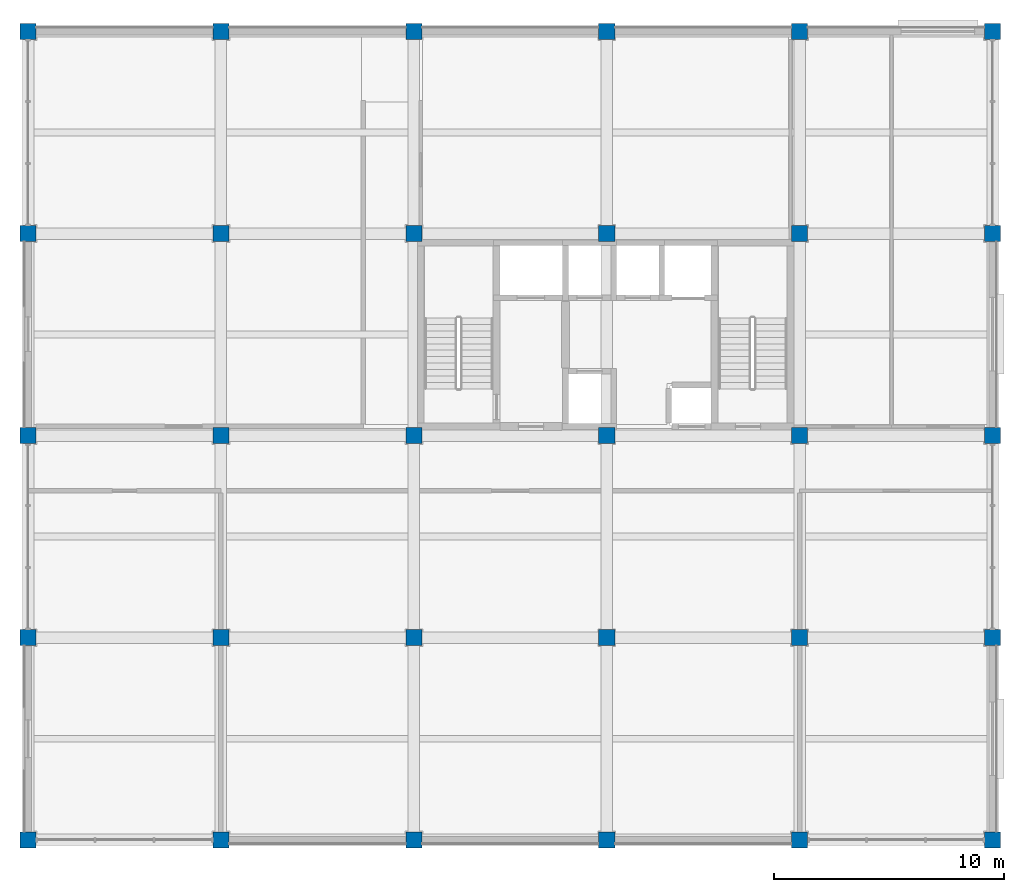
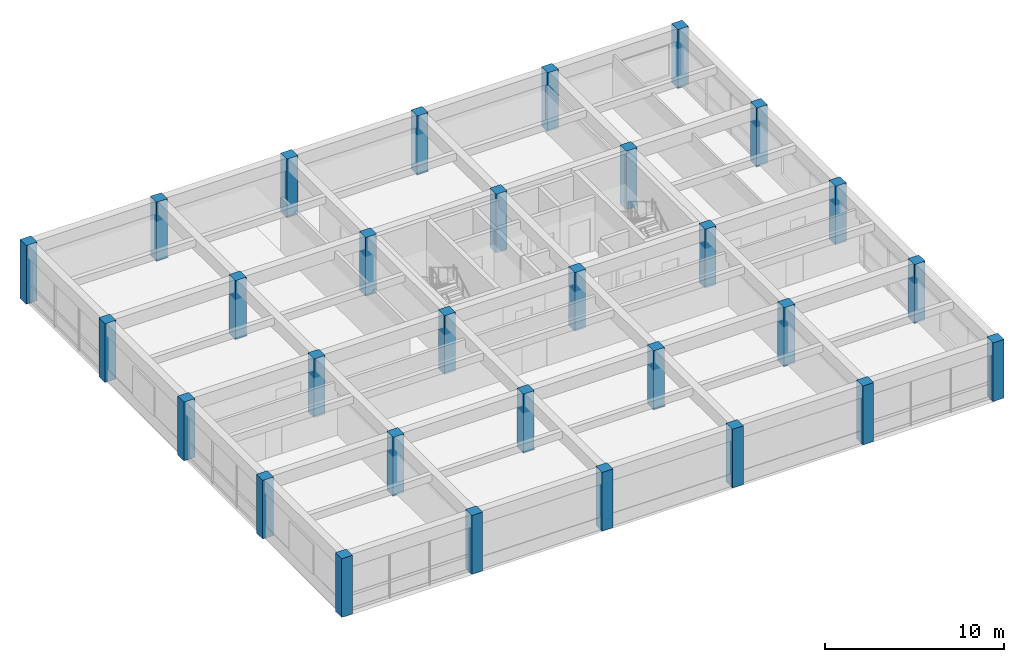
# One storey, part 1 of 14: 30 columns.
"""IFC4 building model written with IfcOpenShell, lengths in metres."""

from ifc_helpers import new_model, si_unit, direction, frame, origin, origin_2d, place, context, subcontext, project, spatial, rectangle, extrude, material, material_profile, profile_set, type_object, element, save


model = new_model("IFC4")

# Units and contexts
model_context = context("Model", 3, precision=1e-05, world=origin(), true_north=direction((0.0, 1.0)))
body_context = subcontext(model_context, "Body", "Model", "MODEL_VIEW")
ifc_project = project(units=[si_unit("LENGTHUNIT", "METRE"), si_unit("AREAUNIT", "SQUARE_METRE"), si_unit("VOLUMEUNIT", "CUBIC_METRE"), si_unit("PLANEANGLEUNIT", "RADIAN"), si_unit("MASSUNIT", "GRAM", prefix="KILO")], contexts=[model_context])

# Site, building, storey
site_placement = place(None, origin())
site = spatial("IfcSite", under=ifc_project, at=site_placement, CompositionType="ELEMENT")
building_placement = place(site_placement, origin())
building = spatial("IfcBuilding", under=site, at=building_placement, Name="Kemercrest Conservatory and Botanical Centre", CompositionType="ELEMENT")
storey_placement = place(building_placement, frame((0.0, 0.0, 28.800048828125)))
storey = spatial("IfcBuildingStorey", under=building, at=storey_placement, Name="L07", CompositionType="ELEMENT", Elevation=28.800048828125)

# Columns
ifc_material = material(Name="Concrete C50/60", Category="concrete")
ifc_material_profile = material_profile(ifc_material, rectangle(XDim=0.699951171875, YDim=0.699951171875, at=origin_2d()), Name="RC 700x700")
ifc_profile_set = profile_set([ifc_material_profile], Name="Concrete C50/60")
column_type = type_object("IfcColumnType", Name="C-RC70", PredefinedType="COLUMN", material=ifc_profile_set)
for number, where, z_axis, x_axis, name in (
    (1, (134.0, 87.199951171875, 0.0), (0.0, 0.0, 1.0), (1.0, 0.0, 0.0), "Tower column C-RC70 16/K"),
    (2, (134.0, 96.0, 0.0), (0.0, 0.0, 1.0), (1.0, 0.0, 0.0), "Tower column C-RC70 16/L"),
    (3, (134.0, 104.800048828125, 0.0), (0.0, 0.0, 1.0), (1.0, 0.0, 0.0), "Tower column C-RC70 16/M"),
    (4, (134.0, 113.60009765625, 0.0), (0.0, 0.0, 1.0), (1.0, 0.0, 0.0), "Tower column C-RC70 16/N"),
    (5, (134.0, 122.39990234375, 0.0), (0.0, 0.0, 1.0), (1.0, 0.0, 0.0), "Tower column C-RC70 16/P"),
    (6, (142.39990234375, 87.199951171875, 0.0), (0.0, 0.0, 1.0), (1.0, 0.0, 0.0), "Tower column C-RC70 17/K"),
    (7, (142.39990234375, 96.0, 0.0), (0.0, 0.0, 1.0), (1.0, 0.0, 0.0), "Tower column C-RC70 17/L"),
    (8, (142.39990234375, 104.800048828125, 0.0), (0.0, 0.0, 1.0), (1.0, 0.0, 0.0), "Tower column C-RC70 17/M"),
    (9, (142.39990234375, 113.60009765625, 0.0), (0.0, 0.0, 1.0), (1.0, 0.0, 0.0), "Tower column C-RC70 17/N"),
    (10, (142.39990234375, 122.39990234375, 0.0), (0.0, 0.0, 1.0), (1.0, 0.0, 0.0), "Tower column C-RC70 17/P"),
    (11, (150.800048828125, 87.199951171875, 0.0), (0.0, 0.0, 1.0), (1.0, 0.0, 0.0), "Tower column C-RC70 18/K"),
    (12, (150.800048828125, 96.0, 0.0), (0.0, 0.0, 1.0), (1.0, 0.0, 0.0), "Tower column C-RC70 18/L"),
    (13, (150.800048828125, 104.800048828125, 0.0), (0.0, 0.0, 1.0), (1.0, 0.0, 0.0), "Tower column C-RC70 18/M"),
    (14, (150.800048828125, 113.60009765625, 0.0), (0.0, 0.0, 1.0), (1.0, 0.0, 0.0), "Tower column C-RC70 18/N"),
    (15, (150.800048828125, 122.39990234375, 0.0), (0.0, 0.0, 1.0), (1.0, 0.0, 0.0), "Tower column C-RC70 18/P"),
    (16, (159.199951171875, 87.199951171875, 0.0), (0.0, 0.0, 1.0), (1.0, 0.0, 0.0), "Tower column C-RC70 19/K"),
    (17, (159.199951171875, 96.0, 0.0), (0.0, 0.0, 1.0), (1.0, 0.0, 0.0), "Tower column C-RC70 19/L"),
    (18, (159.199951171875, 104.800048828125, 0.0), (0.0, 0.0, 1.0), (1.0, 0.0, 0.0), "Tower column C-RC70 19/M"),
    (19, (159.199951171875, 113.60009765625, 0.0), (0.0, 0.0, 1.0), (1.0, 0.0, 0.0), "Tower column C-RC70 19/N"),
    (20, (159.199951171875, 122.39990234375, 0.0), (0.0, 0.0, 1.0), (1.0, 0.0, 0.0), "Tower column C-RC70 19/P"),
    (21, (167.60009765625, 87.199951171875, 0.0), (0.0, 0.0, 1.0), (1.0, 0.0, 0.0), "Tower column C-RC70 20/K"),
    (22, (167.60009765625, 96.0, 0.0), (0.0, 0.0, 1.0), (1.0, 0.0, 0.0), "Tower column C-RC70 20/L"),
    (23, (167.60009765625, 104.800048828125, 0.0), (0.0, 0.0, 1.0), (1.0, 0.0, 0.0), "Tower column C-RC70 20/M"),
    (24, (167.60009765625, 113.60009765625, 0.0), (0.0, 0.0, 1.0), (1.0, 0.0, 0.0), "Tower column C-RC70 20/N"),
    (25, (167.60009765625, 122.39990234375, 0.0), (0.0, 0.0, 1.0), (1.0, 0.0, 0.0), "Tower column C-RC70 20/P"),
    (26, (176.0, 87.199951171875, 0.0), (0.0, 0.0, 1.0), (1.0, 0.0, 0.0), "Tower column C-RC70 21/K"),
    (27, (176.0, 96.0, 0.0), (0.0, 0.0, 1.0), (1.0, 0.0, 0.0), "Tower column C-RC70 21/L"),
    (28, (176.0, 104.800048828125, 0.0), (0.0, 0.0, 1.0), (1.0, 0.0, 0.0), "Tower column C-RC70 21/M"),
    (29, (176.0, 113.60009765625, 0.0), (0.0, 0.0, 1.0), (1.0, 0.0, 0.0), "Tower column C-RC70 21/N"),
    (30, (176.0, 122.39990234375, 0.0), (0.0, 0.0, 1.0), (1.0, 0.0, 0.0), "Tower column C-RC70 21/P"),
):
    element("IfcColumn", number, at=place(storey_placement, frame(where, z_axis=z_axis, x_axis=x_axis)), inside=storey, type_object=column_type, Name=name, PredefinedType="COLUMN", context=body_context, shape_type="SweptSolid", body=[
        extrude(rectangle(XDim=0.699951171875, YDim=0.699951171875, at=origin_2d()), origin(), (0.0, 0.0, 1.0), 4.0),
    ])

save(model, "model.ifc")
